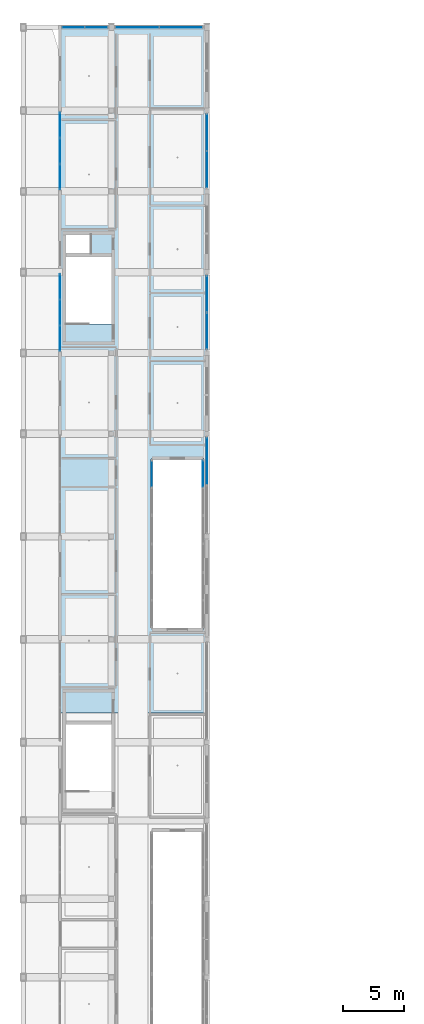
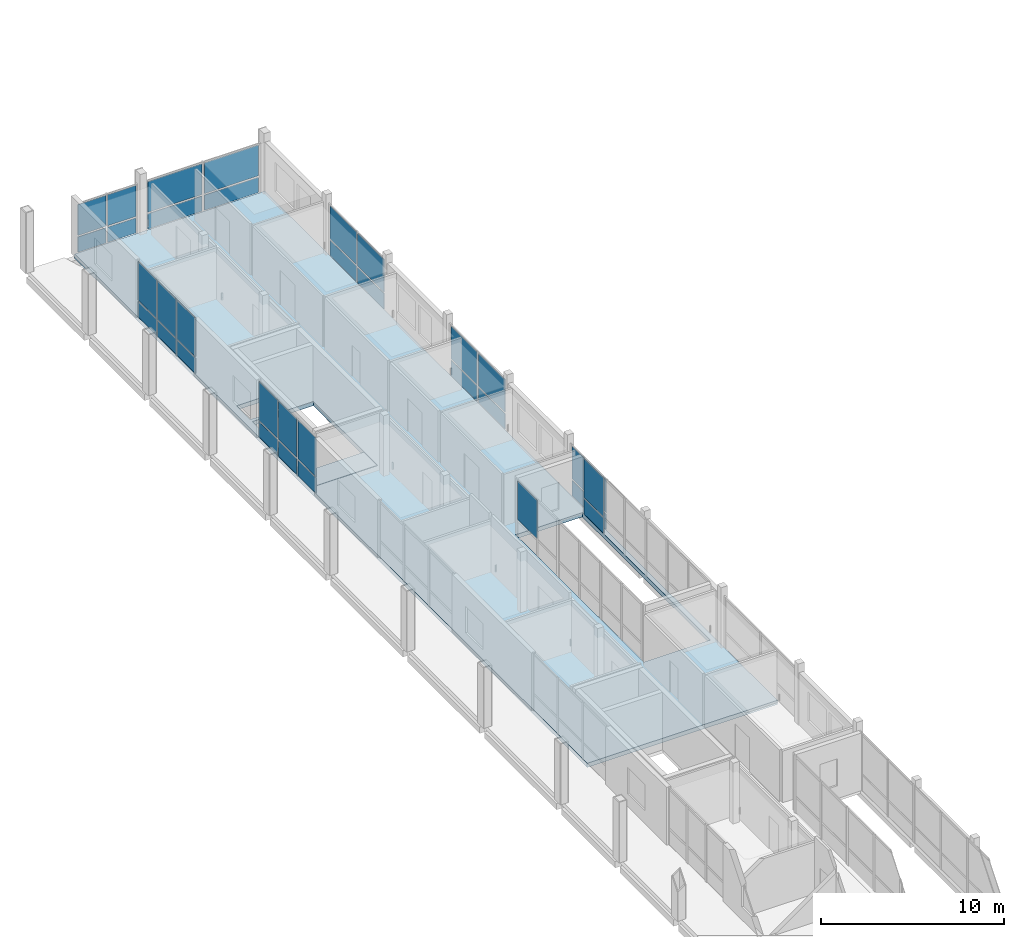
# One storey, part 9 of 24: 33 plates, 2 slabs, 9 elements without a shape of their own.
"""IFC4 building model written with IfcOpenShell, lengths in metres."""

from ifc_helpers import new_model, si_unit, derived_unit, direction, frame, origin, origin_2d, place, context, subcontext, project, spatial, polyline, rectangle, outline, extrude, material, layer, layer_set, type_object, element, aggregate, save


model = new_model("IFC4")

# Units and contexts
model_context = context("Model", 3, precision=1e-05, world=origin(), true_north=direction((0.0, 1.0)))
body_context = subcontext(model_context, "Body", "Model", "MODEL_VIEW")
ifc_project = project(units=[si_unit("LENGTHUNIT", "METRE"), si_unit("AREAUNIT", "SQUARE_METRE"), si_unit("VOLUMEUNIT", "CUBIC_METRE"), si_unit("PLANEANGLEUNIT", "RADIAN"), si_unit("MASSUNIT", "GRAM", prefix="KILO"), derived_unit("THERMALTRANSMITTANCEUNIT", [(si_unit("POWERUNIT", "WATT"), 1), (si_unit("LENGTHUNIT", "METRE"), -2), (si_unit("THERMODYNAMICTEMPERATUREUNIT", "KELVIN"), -1)])], contexts=[model_context])

# Site, building, storey
site_placement = place(None, origin())
site = spatial("IfcSite", under=ifc_project, at=site_placement, CompositionType="ELEMENT")
building_placement = place(site_placement, origin())
building = spatial("IfcBuilding", under=site, at=building_placement, Name="Braskholm Square Health Centre", CompositionType="ELEMENT")
storey_placement = place(building_placement, frame((0.0, 0.0, 21.60009765625)))
storey = spatial("IfcBuildingStorey", under=building, at=storey_placement, Name="L06", CompositionType="ELEMENT", Elevation=21.60009765625)

# Curtain wall, plates
ifc_material_1 = material(Name="Low-E triple insulating glass (VLT 0.64)", Category="glass")
curtain_wall_type_1 = type_object("IfcCurtainWallType", Name="UnitisedCurtainWall6200x3800", PredefinedType="NOTDEFINED", material=ifc_material_1)
curtain_wall_1_placement = place(storey_placement, origin())
curtain_wall_1 = element("IfcCurtainWall", 1, at=curtain_wall_1_placement, inside=storey, type_object=curtain_wall_type_1, Name="West Crown unitised curtain wall CW-L06-0044", PredefinedType="NOTDEFINED")
ifc_material_2 = material(Name="Architectural bronze anodised aluminium", Category="aluminium")
plate_type_1 = type_object("IfcPlateType", Name="CurtainPanelSpandrel1850x1020", PredefinedType="CURTAIN_PANEL", material=ifc_material_2)
plate_1_placement = place(storey_placement, frame((7.199951171875, 92.6201171875, 0.0498046875), z_axis=(0.0, 0.0, 1.0), x_axis=(0.0, -1.0, 0.0)))
plate_1 = element("IfcPlate", 2, at=plate_1_placement, type_object=plate_type_1, Name="CW-L06-0044 spandrel panel 1", PredefinedType="CURTAIN_PANEL", context=body_context, shape_type="SweptSolid", body=[
    extrude(rectangle(XDim=1.992919921875, YDim=0.035888671875, at=origin_2d()), origin(), (0.0, 0.0, 1.0), 1.02001953125),
])
plate_2_placement = place(storey_placement, frame((7.199951171875, 90.5, 0.0498046875), z_axis=(0.0, 0.0, 1.0), x_axis=(0.0, -1.0, 0.0)))
plate_2 = element("IfcPlate", 3, at=plate_2_placement, type_object=plate_type_1, Name="CW-L06-0044 spandrel panel 2", PredefinedType="CURTAIN_PANEL", context=body_context, shape_type="SweptSolid", body=[
    extrude(rectangle(XDim=1.992919921875, YDim=0.035888671875, at=origin_2d()), origin(), (0.0, 0.0, 1.0), 1.02001953125),
])
plate_3_placement = place(storey_placement, frame((7.199951171875, 88.3798828125, 0.0498046875), z_axis=(0.0, 0.0, 1.0), x_axis=(0.0, -1.0, 0.0)))
plate_3 = element("IfcPlate", 4, at=plate_3_placement, type_object=plate_type_1, Name="CW-L06-0044 spandrel panel 3", PredefinedType="CURTAIN_PANEL", context=body_context, shape_type="SweptSolid", body=[
    extrude(rectangle(XDim=1.992919921875, YDim=0.035888671875, at=origin_2d()), origin(), (0.0, 0.0, 1.0), 1.02001953125),
])

curtain_wall_2_placement = place(storey_placement, origin())
curtain_wall_2 = element("IfcCurtainWall", 5, at=curtain_wall_2_placement, inside=storey, type_object=curtain_wall_type_1, Name="West Crown unitised curtain wall CW-L06-0045", PredefinedType="NOTDEFINED")
plate_4_placement = place(storey_placement, frame((7.199951171875, 105.820068359375, 0.0498046875), z_axis=(0.0, 0.0, 1.0), x_axis=(0.0, -1.0, 0.0)))
plate_4 = element("IfcPlate", 6, at=plate_4_placement, type_object=plate_type_1, Name="CW-L06-0045 spandrel panel 1", PredefinedType="CURTAIN_PANEL", context=body_context, shape_type="SweptSolid", body=[
    extrude(rectangle(XDim=1.992919921875, YDim=0.035888671875, at=origin_2d()), origin(), (0.0, 0.0, 1.0), 1.02001953125),
])
plate_5_placement = place(storey_placement, frame((7.199951171875, 103.699951171875, 0.0498046875), z_axis=(0.0, 0.0, 1.0), x_axis=(0.0, -1.0, 0.0)))
plate_5 = element("IfcPlate", 7, at=plate_5_placement, type_object=plate_type_1, Name="CW-L06-0045 spandrel panel 2", PredefinedType="CURTAIN_PANEL", context=body_context, shape_type="SweptSolid", body=[
    extrude(rectangle(XDim=1.992919921875, YDim=0.035888671875, at=origin_2d()), origin(), (0.0, 0.0, 1.0), 1.02001953125),
])
plate_6_placement = place(storey_placement, frame((7.199951171875, 101.580078125, 0.0498046875), z_axis=(0.0, 0.0, 1.0), x_axis=(0.0, -1.0, 0.0)))
plate_6 = element("IfcPlate", 8, at=plate_6_placement, type_object=plate_type_1, Name="CW-L06-0045 spandrel panel 3", PredefinedType="CURTAIN_PANEL", context=body_context, shape_type="SweptSolid", body=[
    extrude(rectangle(XDim=1.992919921875, YDim=0.035888671875, at=origin_2d()), origin(), (0.0, 0.0, 1.0), 1.02001953125),
])

curtain_wall_type_2 = type_object("IfcCurtainWallType", Name="UnitisedCurtainWall3600x3650", PredefinedType="NOTDEFINED", material=ifc_material_1)
curtain_wall_3_placement = place(storey_placement, origin())
curtain_wall_3 = element("IfcCurtainWall", 9, at=curtain_wall_3_placement, inside=storey, type_object=curtain_wall_type_2, Name="Wing End unitised curtain wall CW-L06-0158", PredefinedType="NOTDEFINED")
plate_7_placement = place(storey_placement, frame((10.163818359375, 113.800048828125, 0.0498046875), z_axis=(0.0, 0.0, 1.0), x_axis=(-1.0, 0.0, 0.0)))
plate_7 = element("IfcPlate", 10, at=plate_7_placement, type_object=plate_type_1, Name="CW-L06-0158 spandrel panel 1", PredefinedType="CURTAIN_PANEL", context=body_context, shape_type="SweptSolid", body=[
    extrude(rectangle(XDim=1.776611328125, YDim=0.035888671875, at=origin_2d()), origin(), (0.0, 0.0, 1.0), 1.02001953125),
])
plate_8_placement = place(storey_placement, frame((8.29638671875, 113.800048828125, 0.0498046875), z_axis=(0.0, 0.0, 1.0), x_axis=(-1.0, 0.0, 0.0)))
plate_8 = element("IfcPlate", 11, at=plate_8_placement, type_object=plate_type_1, Name="CW-L06-0158 spandrel panel 2", PredefinedType="CURTAIN_PANEL", context=body_context, shape_type="SweptSolid", body=[
    extrude(rectangle(XDim=1.776611328125, YDim=0.035888671875, at=origin_2d()), origin(), (0.0, 0.0, 1.0), 1.02001953125),
])

# Curtain wall, plate
curtain_wall_type_3 = type_object("IfcCurtainWallType", Name="UnitisedCurtainWall4800x3800", PredefinedType="NOTDEFINED", material=ifc_material_1)
curtain_wall_4_placement = place(storey_placement, origin())
curtain_wall_4 = element("IfcCurtainWall", 12, at=curtain_wall_4_placement, inside=storey, type_object=curtain_wall_type_3, Name="WC2 Court E unitised curtain wall CW-L06-0320", PredefinedType="NOTDEFINED")
plate_type_2 = type_object("IfcPlateType", Name="CurtainPanelSpandrel2150x1020", PredefinedType="CURTAIN_PANEL", material=ifc_material_2)
plate_9_placement = place(storey_placement, frame((18.89990234375, 77.31591796875, 0.0498046875), z_axis=(0.0, 0.0, 1.0), x_axis=(0.0, -1.0, 0.0)))
plate_9 = element("IfcPlate", 13, at=plate_9_placement, type_object=plate_type_2, Name="CW-L06-0320 spandrel panel 1", PredefinedType="CURTAIN_PANEL", context=body_context, shape_type="SweptSolid", body=[
    extrude(rectangle(XDim=2.125244140625, YDim=0.035888671875, at=origin_2d()), origin(), (0.0, 0.0, 1.0), 1.02001953125),
])

# Curtain wall, plates
curtain_wall_type_4 = type_object("IfcCurtainWallType", Name="UnitisedCurtainWall6200x3650", PredefinedType="NOTDEFINED", material=ifc_material_1)
curtain_wall_5_placement = place(storey_placement, origin())
curtain_wall_5 = element("IfcCurtainWall", 14, at=curtain_wall_5_placement, inside=storey, type_object=curtain_wall_type_4, Name="West Valley unitised curtain wall CW-L06-0115", PredefinedType="NOTDEFINED")
plate_type_3 = type_object("IfcPlateType", Name="CurtainPanelSpandrel2750x1020", PredefinedType="CURTAIN_PANEL", material=ifc_material_2)
plate_10_placement = place(storey_placement, frame((19.199951171875, 88.98828125, 0.0498046875), z_axis=(0.0, 0.0, 1.0), x_axis=(0.0, 1.0, 0.0)))
plate_10 = element("IfcPlate", 15, at=plate_10_placement, type_object=plate_type_3, Name="CW-L06-0115 spandrel panel 1", PredefinedType="CURTAIN_PANEL", context=body_context, shape_type="SweptSolid", body=[
    extrude(rectangle(XDim=2.87646484375, YDim=0.035888671875, at=origin_2d()), origin(), (0.0, 0.0, 1.0), 1.02001953125),
])
plate_11_placement = place(storey_placement, frame((19.199951171875, 92.01171875, 0.0498046875), z_axis=(0.0, 0.0, 1.0), x_axis=(0.0, 1.0, 0.0)))
plate_11 = element("IfcPlate", 16, at=plate_11_placement, type_object=plate_type_3, Name="CW-L06-0115 spandrel panel 2", PredefinedType="CURTAIN_PANEL", context=body_context, shape_type="SweptSolid", body=[
    extrude(rectangle(XDim=2.87646484375, YDim=0.035888671875, at=origin_2d()), origin(), (0.0, 0.0, 1.0), 1.02001953125),
])

curtain_wall_6_placement = place(storey_placement, origin())
curtain_wall_6 = element("IfcCurtainWall", 17, at=curtain_wall_6_placement, inside=storey, type_object=curtain_wall_type_4, Name="West Valley unitised curtain wall CW-L06-0116", PredefinedType="NOTDEFINED")
plate_12_placement = place(storey_placement, frame((19.199951171875, 102.1884765625, 0.0498046875), z_axis=(0.0, 0.0, 1.0), x_axis=(0.0, 1.0, 0.0)))
plate_12 = element("IfcPlate", 18, at=plate_12_placement, type_object=plate_type_3, Name="CW-L06-0116 spandrel panel 1", PredefinedType="CURTAIN_PANEL", context=body_context, shape_type="SweptSolid", body=[
    extrude(rectangle(XDim=2.87646484375, YDim=0.035888671875, at=origin_2d()), origin(), (0.0, 0.0, 1.0), 1.02001953125),
])
plate_13_placement = place(storey_placement, frame((19.199951171875, 105.211669921875, 0.0498046875), z_axis=(0.0, 0.0, 1.0), x_axis=(0.0, 1.0, 0.0)))
plate_13 = element("IfcPlate", 19, at=plate_13_placement, type_object=plate_type_3, Name="CW-L06-0116 spandrel panel 2", PredefinedType="CURTAIN_PANEL", context=body_context, shape_type="SweptSolid", body=[
    extrude(rectangle(XDim=2.87646484375, YDim=0.035888671875, at=origin_2d()), origin(), (0.0, 0.0, 1.0), 1.02001953125),
])

# Curtain wall, plate
curtain_wall_7_placement = place(storey_placement, origin())
curtain_wall_7 = element("IfcCurtainWall", 20, at=curtain_wall_7_placement, inside=storey, type_object=curtain_wall_type_4, Name="West Valley unitised curtain wall CW-L06-0114", PredefinedType="NOTDEFINED")
plate_type_4 = type_object("IfcPlateType", Name="CurtainPanelSpandrel3150x1020", PredefinedType="CURTAIN_PANEL", material=ifc_material_2)
plate_14_placement = place(storey_placement, frame((19.199951171875, 78.356201171875, 0.0498046875), z_axis=(0.0, 0.0, 1.0), x_axis=(0.0, 1.0, 0.0)))
plate_14 = element("IfcPlate", 21, at=plate_14_placement, type_object=plate_type_4, Name="CW-L06-0114 spandrel panel 2", PredefinedType="CURTAIN_PANEL", context=body_context, shape_type="SweptSolid", body=[
    extrude(rectangle(XDim=3.722412109375, YDim=0.035888671875, at=origin_2d()), origin(), (0.0, 0.0, 1.0), 1.02001953125),
])

# Curtain wall, plates
curtain_wall_8_placement = place(storey_placement, origin())
curtain_wall_8 = element("IfcCurtainWall", 22, at=curtain_wall_8_placement, inside=storey, type_object=curtain_wall_type_4, Name="Wing End unitised curtain wall CW-L06-0157", PredefinedType="NOTDEFINED")
plate_15_placement = place(storey_placement, frame((17.08837890625, 113.800048828125, 0.0498046875), z_axis=(0.0, 0.0, 1.0), x_axis=(-1.0, 0.0, 0.0)))
plate_15 = element("IfcPlate", 23, at=plate_15_placement, type_object=plate_type_4, Name="CW-L06-0157 spandrel panel 1", PredefinedType="CURTAIN_PANEL", context=body_context, shape_type="SweptSolid", body=[
    extrude(rectangle(XDim=3.40283203125, YDim=0.035888671875, at=origin_2d()), origin(), (0.0, 0.0, 1.0), 1.02001953125),
])
plate_16_placement = place(storey_placement, frame((13.51171875, 113.800048828125, 0.0498046875), z_axis=(0.0, 0.0, 1.0), x_axis=(-1.0, 0.0, 0.0)))
plate_16 = element("IfcPlate", 24, at=plate_16_placement, type_object=plate_type_4, Name="CW-L06-0157 spandrel panel 2", PredefinedType="CURTAIN_PANEL", context=body_context, shape_type="SweptSolid", body=[
    extrude(rectangle(XDim=3.40283203125, YDim=0.035888671875, at=origin_2d()), origin(), (0.0, 0.0, 1.0), 1.02001953125),
])

# Plate
plate_type_5 = type_object("IfcPlateType", Name="CurtainPanelVision1850x2120", PredefinedType="CURTAIN_PANEL", material=ifc_material_1)
plate_17_placement = place(storey_placement, frame((10.163818359375, 113.800048828125, 1.169921875), z_axis=(0.0, 0.0, 1.0), x_axis=(-1.0, 0.0, 0.0)))
plate_17 = element("IfcPlate", 25, at=plate_17_placement, type_object=plate_type_5, Name="CW-L06-0158 vision glass panel 1", PredefinedType="CURTAIN_PANEL", context=body_context, shape_type="SweptSolid", body=[
    extrude(rectangle(XDim=1.776611328125, YDim=0.035888671875, at=origin_2d()), origin(), (0.0, 0.0, 1.0), 2.06005859375),
])

plate_18_placement = place(storey_placement, frame((8.29638671875, 113.800048828125, 1.169921875), z_axis=(0.0, 0.0, 1.0), x_axis=(-1.0, 0.0, 0.0)))
plate_18 = element("IfcPlate", 26, at=plate_18_placement, type_object=plate_type_5, Name="CW-L06-0158 vision glass panel 2", PredefinedType="CURTAIN_PANEL", context=body_context, shape_type="SweptSolid", body=[
    extrude(rectangle(XDim=1.776611328125, YDim=0.035888671875, at=origin_2d()), origin(), (0.0, 0.0, 1.0), 2.06005859375),
])

aggregate(curtain_wall_3, [plate_7, plate_17, plate_8, plate_18])

plate_type_6 = type_object("IfcPlateType", Name="CurtainPanelVision1850x2520", PredefinedType="CURTAIN_PANEL", material=ifc_material_1)
plate_19_placement = place(storey_placement, frame((7.199951171875, 92.6201171875, 1.169921875), z_axis=(0.0, 0.0, 1.0), x_axis=(0.0, -1.0, 0.0)))
plate_19 = element("IfcPlate", 27, at=plate_19_placement, type_object=plate_type_6, Name="CW-L06-0044 vision glass panel 1", PredefinedType="CURTAIN_PANEL", context=body_context, shape_type="SweptSolid", body=[
    extrude(rectangle(XDim=1.992919921875, YDim=0.035888671875, at=origin_2d()), origin(), (0.0, 0.0, 1.0), 2.56005859375),
])

plate_20_placement = place(storey_placement, frame((7.199951171875, 90.5, 1.169921875), z_axis=(0.0, 0.0, 1.0), x_axis=(0.0, -1.0, 0.0)))
plate_20 = element("IfcPlate", 28, at=plate_20_placement, type_object=plate_type_6, Name="CW-L06-0044 vision glass panel 2", PredefinedType="CURTAIN_PANEL", context=body_context, shape_type="SweptSolid", body=[
    extrude(rectangle(XDim=1.992919921875, YDim=0.035888671875, at=origin_2d()), origin(), (0.0, 0.0, 1.0), 2.56005859375),
])

plate_21_placement = place(storey_placement, frame((7.199951171875, 88.3798828125, 1.169921875), z_axis=(0.0, 0.0, 1.0), x_axis=(0.0, -1.0, 0.0)))
plate_21 = element("IfcPlate", 29, at=plate_21_placement, type_object=plate_type_6, Name="CW-L06-0044 vision glass panel 3", PredefinedType="CURTAIN_PANEL", context=body_context, shape_type="SweptSolid", body=[
    extrude(rectangle(XDim=1.992919921875, YDim=0.035888671875, at=origin_2d()), origin(), (0.0, 0.0, 1.0), 2.56005859375),
])

aggregate(curtain_wall_1, [plate_1, plate_19, plate_2, plate_20, plate_3, plate_21])

plate_22_placement = place(storey_placement, frame((7.199951171875, 105.820068359375, 1.169921875), z_axis=(0.0, 0.0, 1.0), x_axis=(0.0, -1.0, 0.0)))
plate_22 = element("IfcPlate", 30, at=plate_22_placement, type_object=plate_type_6, Name="CW-L06-0045 vision glass panel 1", PredefinedType="CURTAIN_PANEL", context=body_context, shape_type="SweptSolid", body=[
    extrude(rectangle(XDim=1.992919921875, YDim=0.035888671875, at=origin_2d()), origin(), (0.0, 0.0, 1.0), 2.56005859375),
])

plate_23_placement = place(storey_placement, frame((7.199951171875, 103.699951171875, 1.169921875), z_axis=(0.0, 0.0, 1.0), x_axis=(0.0, -1.0, 0.0)))
plate_23 = element("IfcPlate", 31, at=plate_23_placement, type_object=plate_type_6, Name="CW-L06-0045 vision glass panel 2", PredefinedType="CURTAIN_PANEL", context=body_context, shape_type="SweptSolid", body=[
    extrude(rectangle(XDim=1.992919921875, YDim=0.035888671875, at=origin_2d()), origin(), (0.0, 0.0, 1.0), 2.56005859375),
])

plate_24_placement = place(storey_placement, frame((7.199951171875, 101.580078125, 1.169921875), z_axis=(0.0, 0.0, 1.0), x_axis=(0.0, -1.0, 0.0)))
plate_24 = element("IfcPlate", 32, at=plate_24_placement, type_object=plate_type_6, Name="CW-L06-0045 vision glass panel 3", PredefinedType="CURTAIN_PANEL", context=body_context, shape_type="SweptSolid", body=[
    extrude(rectangle(XDim=1.992919921875, YDim=0.035888671875, at=origin_2d()), origin(), (0.0, 0.0, 1.0), 2.56005859375),
])

aggregate(curtain_wall_2, [plate_4, plate_22, plate_5, plate_23, plate_6, plate_24])

# Curtain wall, plate
curtain_wall_9_placement = place(storey_placement, origin())
curtain_wall_9 = element("IfcCurtainWall", 33, at=curtain_wall_9_placement, inside=storey, type_object=curtain_wall_type_3, Name="WC2 Court W unitised curtain wall CW-L06-0319", PredefinedType="NOTDEFINED")
plate_type_7 = type_object("IfcPlateType", Name="CurtainPanelVision2150x2520", PredefinedType="CURTAIN_PANEL", material=ifc_material_1)
plate_25_placement = place(storey_placement, frame((14.699951171875, 77.31591796875, 1.169921875), z_axis=(0.0, 0.0, 1.0), x_axis=(0.0, 1.0, 0.0)))
plate_25 = element("IfcPlate", 34, at=plate_25_placement, type_object=plate_type_7, Name="CW-L06-0319 vision glass panel 2", PredefinedType="CURTAIN_PANEL", context=body_context, shape_type="SweptSolid", body=[
    extrude(rectangle(XDim=2.125244140625, YDim=0.035888671875, at=origin_2d()), origin(), (0.0, 0.0, 1.0), 2.56005859375),
])
aggregate(curtain_wall_9, [plate_25])

# Plate
plate_26_placement = place(storey_placement, frame((18.89990234375, 77.31591796875, 1.169921875), z_axis=(0.0, 0.0, 1.0), x_axis=(0.0, -1.0, 0.0)))
plate_26 = element("IfcPlate", 35, at=plate_26_placement, type_object=plate_type_7, Name="CW-L06-0320 vision glass panel 1", PredefinedType="CURTAIN_PANEL", context=body_context, shape_type="SweptSolid", body=[
    extrude(rectangle(XDim=2.125244140625, YDim=0.035888671875, at=origin_2d()), origin(), (0.0, 0.0, 1.0), 2.56005859375),
])

aggregate(curtain_wall_4, [plate_9, plate_26])

plate_type_8 = type_object("IfcPlateType", Name="CurtainPanelVision2750x2120", PredefinedType="CURTAIN_PANEL", material=ifc_material_1)
plate_27_placement = place(storey_placement, frame((19.199951171875, 88.98828125, 1.169921875), z_axis=(0.0, 0.0, 1.0), x_axis=(0.0, 1.0, 0.0)))
plate_27 = element("IfcPlate", 36, at=plate_27_placement, type_object=plate_type_8, Name="CW-L06-0115 vision glass panel 1", PredefinedType="CURTAIN_PANEL", context=body_context, shape_type="SweptSolid", body=[
    extrude(rectangle(XDim=2.87646484375, YDim=0.035888671875, at=origin_2d()), origin(), (0.0, 0.0, 1.0), 2.179931640625),
])

plate_28_placement = place(storey_placement, frame((19.199951171875, 92.01171875, 1.169921875), z_axis=(0.0, 0.0, 1.0), x_axis=(0.0, 1.0, 0.0)))
plate_28 = element("IfcPlate", 37, at=plate_28_placement, type_object=plate_type_8, Name="CW-L06-0115 vision glass panel 2", PredefinedType="CURTAIN_PANEL", context=body_context, shape_type="SweptSolid", body=[
    extrude(rectangle(XDim=2.87646484375, YDim=0.035888671875, at=origin_2d()), origin(), (0.0, 0.0, 1.0), 2.179931640625),
])

aggregate(curtain_wall_5, [plate_10, plate_27, plate_11, plate_28])

plate_29_placement = place(storey_placement, frame((19.199951171875, 102.1884765625, 1.169921875), z_axis=(0.0, 0.0, 1.0), x_axis=(0.0, 1.0, 0.0)))
plate_29 = element("IfcPlate", 38, at=plate_29_placement, type_object=plate_type_8, Name="CW-L06-0116 vision glass panel 1", PredefinedType="CURTAIN_PANEL", context=body_context, shape_type="SweptSolid", body=[
    extrude(rectangle(XDim=2.87646484375, YDim=0.035888671875, at=origin_2d()), origin(), (0.0, 0.0, 1.0), 2.179931640625),
])

plate_30_placement = place(storey_placement, frame((19.199951171875, 105.211669921875, 1.169921875), z_axis=(0.0, 0.0, 1.0), x_axis=(0.0, 1.0, 0.0)))
plate_30 = element("IfcPlate", 39, at=plate_30_placement, type_object=plate_type_8, Name="CW-L06-0116 vision glass panel 2", PredefinedType="CURTAIN_PANEL", context=body_context, shape_type="SweptSolid", body=[
    extrude(rectangle(XDim=2.87646484375, YDim=0.035888671875, at=origin_2d()), origin(), (0.0, 0.0, 1.0), 2.179931640625),
])

aggregate(curtain_wall_6, [plate_12, plate_29, plate_13, plate_30])

plate_type_9 = type_object("IfcPlateType", Name="CurtainPanelVision3150x2120", PredefinedType="CURTAIN_PANEL", material=ifc_material_1)
plate_31_placement = place(storey_placement, frame((19.199951171875, 78.356201171875, 1.169921875), z_axis=(0.0, 0.0, 1.0), x_axis=(0.0, 1.0, 0.0)))
plate_31 = element("IfcPlate", 40, at=plate_31_placement, type_object=plate_type_9, Name="CW-L06-0114 vision glass panel 2", PredefinedType="CURTAIN_PANEL", context=body_context, shape_type="SweptSolid", body=[
    extrude(rectangle(XDim=3.722412109375, YDim=0.035888671875, at=origin_2d()), origin(), (0.0, 0.0, 1.0), 2.179931640625),
])

aggregate(curtain_wall_7, [plate_14, plate_31])

plate_32_placement = place(storey_placement, frame((17.08837890625, 113.800048828125, 1.169921875), z_axis=(0.0, 0.0, 1.0), x_axis=(-1.0, 0.0, 0.0)))
plate_32 = element("IfcPlate", 41, at=plate_32_placement, type_object=plate_type_9, Name="CW-L06-0157 vision glass panel 1", PredefinedType="CURTAIN_PANEL", context=body_context, shape_type="SweptSolid", body=[
    extrude(rectangle(XDim=3.40283203125, YDim=0.035888671875, at=origin_2d()), origin(), (0.0, 0.0, 1.0), 2.06005859375),
])

plate_33_placement = place(storey_placement, frame((13.51171875, 113.800048828125, 1.169921875), z_axis=(0.0, 0.0, 1.0), x_axis=(-1.0, 0.0, 0.0)))
plate_33 = element("IfcPlate", 42, at=plate_33_placement, type_object=plate_type_9, Name="CW-L06-0157 vision glass panel 2", PredefinedType="CURTAIN_PANEL", context=body_context, shape_type="SweptSolid", body=[
    extrude(rectangle(XDim=3.40283203125, YDim=0.035888671875, at=origin_2d()), origin(), (0.0, 0.0, 1.0), 2.06005859375),
])

aggregate(curtain_wall_8, [plate_15, plate_32, plate_16, plate_33])

# Slabs
ifc_material_3 = material(Name="Concrete C35/45 (f'c = 35 MPa)", Category="concrete")
ifc_layer_1 = layer(ifc_material_3, 0.179931640625)
ifc_layer_set_1 = layer_set([ifc_layer_1], Name="Concrete C35/45 (f'c = 35 MPa)")
slab_type_1 = type_object("IfcSlabType", Name="StairLandingSlab180", PredefinedType="LANDING", material=ifc_layer_set_1)
slab_1_placement = place(storey_placement, frame((0.0, 0.0, -0.18017578125)))
element("IfcSlab", 43, at=slab_1_placement, inside=storey, type_object=slab_type_1, Name="Stair ST-03 top arrival landing L06", PredefinedType="LANDING", context=body_context, shape_type="SweptSolid", body=[
    extrude(outline(polyline([(7.64990234375, 88.10009765625), (11.449951171875, 88.10009765625), (11.449951171875, 89.56005859375), (7.64990234375, 89.56005859375), (7.64990234375, 88.10009765625)])), origin(), (0.0, 0.0, 1.0), 0.18017578125),
])
ifc_layer_2 = layer(ifc_material_3, 0.280029296875)
ifc_layer_set_2 = layer_set([ifc_layer_2], Name="Concrete C35/45 (f'c = 35 MPa)")
slab_type_2 = type_object("IfcSlabType", Name="UpperCrownFlatSlab280", PredefinedType="FLOOR", material=ifc_layer_set_2)
slab_2_placement = place(storey_placement, frame((0.0, 0.0, -0.280029296875)))
element("IfcSlab", 44, at=slab_2_placement, inside=storey, type_object=slab_type_2, Name="Level L06 V4W West North set-back top floor slab", PredefinedType="FLOOR", context=body_context, shape_type="SweptSolid", body=[
    extrude(outline(polyline([(7.199951171875, 57.800048828125), (19.199951171875, 57.800048828125), (19.199951171875, 113.800048828125), (7.199951171875, 113.800048828125), (7.199951171875, 57.800048828125)]), holes=[polyline([(7.6298828125, 88.080078125), (11.469970703125, 88.080078125), (11.469970703125, 95.1201171875), (7.6298828125, 95.1201171875), (7.6298828125, 88.080078125)]), polyline([(7.6298828125, 95.35009765625), (9.64990234375, 95.35009765625), (9.64990234375, 96.85009765625), (7.6298828125, 96.85009765625), (7.6298828125, 95.35009765625)]), polyline([(14.699951171875, 64.60009765625), (18.89990234375, 64.60009765625), (18.89990234375, 78.60009765625), (14.699951171875, 78.60009765625), (14.699951171875, 64.60009765625)])]), origin(), (0.0, 0.0, 1.0), 0.280029296875),
])

save(model, "model.ifc")
